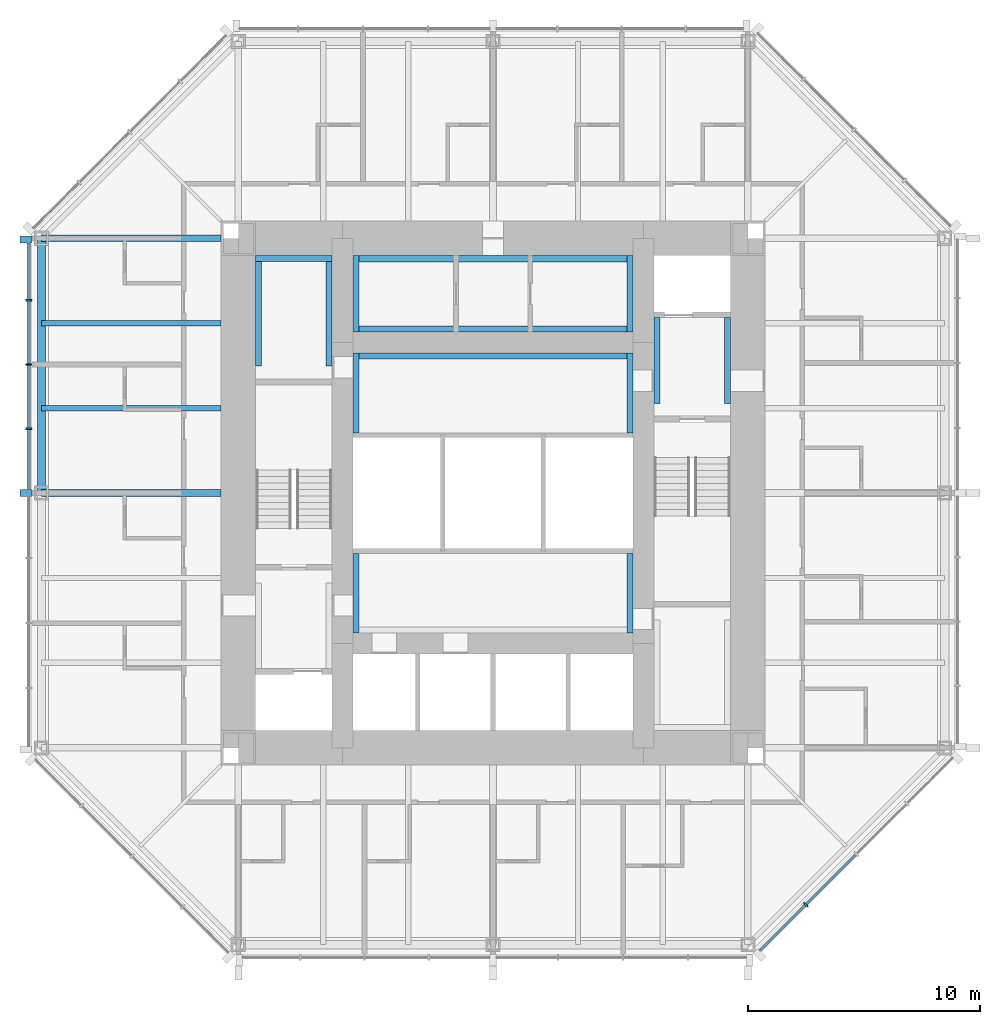
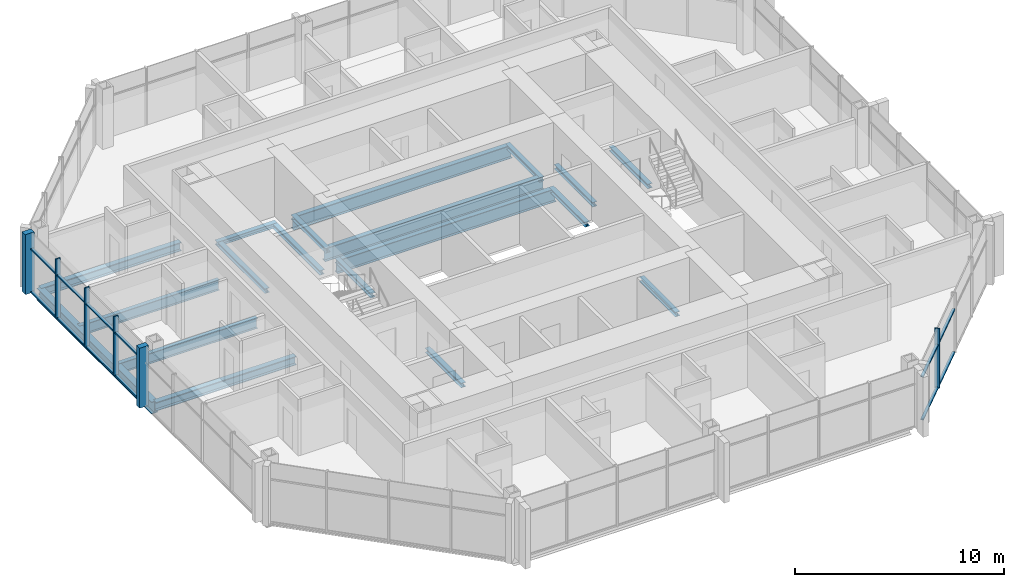
# One storey, part 3 of 12: 19 beams, 18 members, 2 elements without a shape of their own.
"""IFC4 building model written with IfcOpenShell, lengths in metres."""

from ifc_helpers import new_model, si_unit, direction, frame, origin, origin_2d, place, context, subcontext, project, spatial, rectangle, i_section, extrude, material, material_profile, profile_set, type_object, element, aggregate, save


model = new_model("IFC4")

# Units and contexts
model_context = context("Model", 3, precision=1e-05, world=origin(), true_north=direction((0.0, 1.0)))
body_context = subcontext(model_context, "Body", "Model", "MODEL_VIEW")
ifc_project = project(units=[si_unit("LENGTHUNIT", "METRE"), si_unit("AREAUNIT", "SQUARE_METRE"), si_unit("VOLUMEUNIT", "CUBIC_METRE"), si_unit("PLANEANGLEUNIT", "RADIAN"), si_unit("MASSUNIT", "GRAM", prefix="KILO")], contexts=[model_context])

# Site, building, storey
site_placement = place(None, origin())
site = spatial("IfcSite", under=ifc_project, at=site_placement, CompositionType="ELEMENT")
building_placement = place(site_placement, origin())
building = spatial("IfcBuilding", under=site, at=building_placement, Name="Trevanion Tower", CompositionType="ELEMENT")
storey_placement = place(building_placement, frame((0.0, 0.0, 197.699951171875)))
storey = spatial("IfcBuildingStorey", under=building, at=storey_placement, Name="L46", CompositionType="ELEMENT", Elevation=197.699951171875)

# Beams
ifc_material_1 = material(Name="Steel ASTM A992 Grade 50", Category="steel")
ifc_material_profile_1 = material_profile(ifc_material_1, i_section(OverallWidth=0.228271484375, OverallDepth=0.607177734375, WebThickness=0.01123046875, FlangeThickness=0.017333984375, at=origin_2d()), Name="W24X76")
ifc_profile_set_1 = profile_set([ifc_material_profile_1], Name="Steel ASTM A992 Grade 50")
beam_type_1 = type_object("IfcBeamType", Name="B11 W24X76", PredefinedType="BEAM", material=ifc_profile_set_1)
for number, where, z_axis, x_axis, name in (
    (1, (-11.75, 7.333251953125, -0.493408203125), (-1.0, 0.0, 0.0), (0.0, -1.0, 0.0), "B11 L46"),
    (2, (-11.75, 3.666748046875, -0.493408203125), (-1.0, 0.0, 0.0), (0.0, -1.0, 0.0), "B11 L46"),
):
    element("IfcBeam", number, at=place(storey_placement, frame(where, z_axis=z_axis, x_axis=x_axis)), inside=storey, type_object=beam_type_1, Name=name, PredefinedType="BEAM", context=body_context, shape_type="SweptSolid", body=[
        extrude(i_section(OverallWidth=0.228271484375, OverallDepth=0.607177734375, WebThickness=0.01123046875, FlangeThickness=0.017333984375, at=origin_2d()), origin(), (0.0, 0.0, 1.0), 7.75),
    ])

# Curtain wall, members
ifc_material_2 = material(Name="Aluminium and glass", Category="aluminium")
curtain_wall_type = type_object("IfcCurtainWallType", Name="CW3 curtain wall", PredefinedType="USERDEFINED", material=ifc_material_2)
curtain_wall_1_placement = place(storey_placement, origin())
curtain_wall_1 = element("IfcCurtainWall", 3, at=curtain_wall_1_placement, inside=storey, type_object=curtain_wall_type, Name="CW3 L46 4", ObjectType="UNITISED CURTAIN WALL", PredefinedType="USERDEFINED")
ifc_material_3 = material(Name="Aluminium extrusion, anodised bronze", Category="aluminium")
ifc_material_profile_2 = material_profile(ifc_material_3, rectangle(XDim=0.074951171875, YDim=0.25, at=origin_2d()), Name="CW3 mullion")
ifc_profile_set_2 = profile_set([ifc_material_profile_2], Name="Aluminium extrusion, anodised bronze")
member_type_1 = type_object("IfcMemberType", Name="CW3 mullion", PredefinedType="MULLION", material=ifc_profile_set_2)
member_1_placement = place(storey_placement, frame((-20.050048828125, 8.323486328125, -0.18994140625), z_axis=(0.0, 0.0, 1.0), x_axis=(0.0, -1.0, 0.0)))
member_1 = element("IfcMember", 4, at=member_1_placement, type_object=member_type_1, Name="CW3 mullion 2", PredefinedType="MULLION", context=body_context, shape_type="SweptSolid", body=[
    extrude(rectangle(XDim=0.074951171875, YDim=0.25, at=origin_2d()), origin(), (0.0, 0.0, 1.0), 3.5),
])
member_2_placement = place(storey_placement, frame((-20.050048828125, 5.548828125, -0.18994140625), z_axis=(0.0, 0.0, 1.0), x_axis=(0.0, -1.0, 0.0)))
member_2 = element("IfcMember", 5, at=member_2_placement, type_object=member_type_1, Name="CW3 mullion 3", PredefinedType="MULLION", context=body_context, shape_type="SweptSolid", body=[
    extrude(rectangle(XDim=0.074951171875, YDim=0.25, at=origin_2d()), origin(), (0.0, 0.0, 1.0), 3.5),
])
member_3_placement = place(storey_placement, frame((-20.050048828125, 2.7744140625, -0.18994140625), z_axis=(0.0, 0.0, 1.0), x_axis=(0.0, -1.0, 0.0)))
member_3 = element("IfcMember", 6, at=member_3_placement, type_object=member_type_1, Name="CW3 mullion 4", PredefinedType="MULLION", context=body_context, shape_type="SweptSolid", body=[
    extrude(rectangle(XDim=0.074951171875, YDim=0.25, at=origin_2d()), origin(), (0.0, 0.0, 1.0), 3.5),
])

# Curtain wall, member
curtain_wall_2_placement = place(storey_placement, origin())
curtain_wall_2 = element("IfcCurtainWall", 7, at=curtain_wall_2_placement, inside=storey, type_object=curtain_wall_type, Name="CW3 L46 7", ObjectType="UNITISED CURTAIN WALL", PredefinedType="USERDEFINED")
member_4_placement = place(storey_placement, frame((13.502197265625, -17.775390625, -0.18994140625), z_axis=(0.0, 0.0, 1.0), x_axis=(0.707106781187, 0.707106781187, 0.0)))
member_4 = element("IfcMember", 8, at=member_4_placement, type_object=member_type_1, Name="CW3 mullion 2", PredefinedType="MULLION", context=body_context, shape_type="SweptSolid", body=[
    extrude(rectangle(XDim=0.074951171875, YDim=0.25, at=origin_2d()), origin(), (0.0, 0.0, 1.0), 3.5),
])

# Member
ifc_material_4 = material(Name="Aluminium extrusion, anodised bronze", Category="aluminium")
ifc_material_profile_3 = material_profile(ifc_material_4, rectangle(XDim=0.300048828125, YDim=0.5, at=origin_2d()), Name="CW3 pier mullion")
ifc_profile_set_3 = profile_set([ifc_material_profile_3], Name="Aluminium extrusion, anodised bronze")
member_type_2 = type_object("IfcMemberType", Name="CW3 pier mullion", PredefinedType="MULLION", material=ifc_profile_set_3)
member_5_placement = place(storey_placement, frame((-20.175048828125, 10.94775390625, -0.18994140625), z_axis=(0.0, 0.0, 1.0), x_axis=(0.0, -1.0, 0.0)))
member_5 = element("IfcMember", 9, at=member_5_placement, type_object=member_type_2, Name="CW3 pier mullion 1", PredefinedType="MULLION", context=body_context, shape_type="SweptSolid", body=[
    extrude(rectangle(XDim=0.300048828125, YDim=0.5, at=origin_2d()), origin(), (0.0, 0.0, 1.0), 3.5),
])

member_6_placement = place(storey_placement, frame((-20.175048828125, 0.0, -0.18994140625), z_axis=(0.0, 0.0, 1.0), x_axis=(0.0, -1.0, 0.0)))
member_6 = element("IfcMember", 10, at=member_6_placement, type_object=member_type_2, Name="CW3 pier mullion 5", PredefinedType="MULLION", context=body_context, shape_type="SweptSolid", body=[
    extrude(rectangle(XDim=0.300048828125, YDim=0.5, at=origin_2d()), origin(), (0.0, 0.0, 1.0), 3.5),
])

ifc_material_5 = material(Name="Aluminium extrusion, anodised bronze", Category="aluminium")
ifc_material_profile_4 = material_profile(ifc_material_5, rectangle(XDim=0.14990234375, YDim=0.074951171875, at=origin_2d()), Name="CW3 transom")
ifc_profile_set_4 = profile_set([ifc_material_profile_4], Name="Aluminium extrusion, anodised bronze")
member_type_3 = type_object("IfcMemberType", Name="CW3 transom", PredefinedType="USERDEFINED", material=ifc_profile_set_4)
member_7_placement = place(storey_placement, frame((-20.050048828125, 10.7978515625, -0.15234375), z_axis=(0.0, -1.0, 0.0), x_axis=(1.0, 0.0, 0.0)))
member_7 = element("IfcMember", 11, at=member_7_placement, type_object=member_type_3, Name="CW3 transom 1.1", ObjectType="TRANSOM", PredefinedType="USERDEFINED", context=body_context, shape_type="SweptSolid", body=[
    extrude(rectangle(XDim=0.14990234375, YDim=0.074951171875, at=origin_2d()), origin(), (0.0, 0.0, 1.0), 2.43701171875),
])

member_8_placement = place(storey_placement, frame((-20.050048828125, 10.7978515625, 2.360107421875), z_axis=(0.0, -1.0, 0.0), x_axis=(1.0, 0.0, 0.0)))
member_8 = element("IfcMember", 12, at=member_8_placement, type_object=member_type_3, Name="CW3 transom 1.2", ObjectType="TRANSOM", PredefinedType="USERDEFINED", context=body_context, shape_type="SweptSolid", body=[
    extrude(rectangle(XDim=0.14990234375, YDim=0.074951171875, at=origin_2d()), origin(), (0.0, 0.0, 1.0), 2.43701171875),
])

member_9_placement = place(storey_placement, frame((-20.050048828125, 8.285888671875, -0.15234375), z_axis=(0.0, -1.0, 0.0), x_axis=(1.0, 0.0, 0.0)))
member_9 = element("IfcMember", 13, at=member_9_placement, type_object=member_type_3, Name="CW3 transom 2.1", ObjectType="TRANSOM", PredefinedType="USERDEFINED", context=body_context, shape_type="SweptSolid", body=[
    extrude(rectangle(XDim=0.14990234375, YDim=0.074951171875, at=origin_2d()), origin(), (0.0, 0.0, 1.0), 2.699462890625),
])

member_10_placement = place(storey_placement, frame((-20.050048828125, 8.285888671875, 2.360107421875), z_axis=(0.0, -1.0, 0.0), x_axis=(1.0, 0.0, 0.0)))
member_10 = element("IfcMember", 14, at=member_10_placement, type_object=member_type_3, Name="CW3 transom 2.2", ObjectType="TRANSOM", PredefinedType="USERDEFINED", context=body_context, shape_type="SweptSolid", body=[
    extrude(rectangle(XDim=0.14990234375, YDim=0.074951171875, at=origin_2d()), origin(), (0.0, 0.0, 1.0), 2.699462890625),
])

member_11_placement = place(storey_placement, frame((-20.050048828125, 5.511474609375, -0.15234375), z_axis=(0.0, -1.0, 0.0), x_axis=(1.0, 0.0, 0.0)))
member_11 = element("IfcMember", 15, at=member_11_placement, type_object=member_type_3, Name="CW3 transom 3.1", ObjectType="TRANSOM", PredefinedType="USERDEFINED", context=body_context, shape_type="SweptSolid", body=[
    extrude(rectangle(XDim=0.14990234375, YDim=0.074951171875, at=origin_2d()), origin(), (0.0, 0.0, 1.0), 2.699462890625),
])

member_12_placement = place(storey_placement, frame((-20.050048828125, 5.511474609375, 2.360107421875), z_axis=(0.0, -1.0, 0.0), x_axis=(1.0, 0.0, 0.0)))
member_12 = element("IfcMember", 16, at=member_12_placement, type_object=member_type_3, Name="CW3 transom 3.2", ObjectType="TRANSOM", PredefinedType="USERDEFINED", context=body_context, shape_type="SweptSolid", body=[
    extrude(rectangle(XDim=0.14990234375, YDim=0.074951171875, at=origin_2d()), origin(), (0.0, 0.0, 1.0), 2.699462890625),
])

member_13_placement = place(storey_placement, frame((-20.050048828125, 2.737060546875, -0.15234375), z_axis=(0.0, -1.0, 0.0), x_axis=(1.0, 0.0, 0.0)))
member_13 = element("IfcMember", 17, at=member_13_placement, type_object=member_type_3, Name="CW3 transom 4.1", ObjectType="TRANSOM", PredefinedType="USERDEFINED", context=body_context, shape_type="SweptSolid", body=[
    extrude(rectangle(XDim=0.14990234375, YDim=0.074951171875, at=origin_2d()), origin(), (0.0, 0.0, 1.0), 2.587158203125),
])

member_14_placement = place(storey_placement, frame((-20.050048828125, 2.737060546875, 2.360107421875), z_axis=(0.0, -1.0, 0.0), x_axis=(1.0, 0.0, 0.0)))
member_14 = element("IfcMember", 18, at=member_14_placement, type_object=member_type_3, Name="CW3 transom 4.2", ObjectType="TRANSOM", PredefinedType="USERDEFINED", context=body_context, shape_type="SweptSolid", body=[
    extrude(rectangle(XDim=0.14990234375, YDim=0.074951171875, at=origin_2d()), origin(), (0.0, 0.0, 1.0), 2.587158203125),
])

aggregate(curtain_wall_1, [member_5, member_1, member_2, member_3, member_6, member_7, member_8, member_9, member_10, member_11, member_12, member_13, member_14])

member_15_placement = place(storey_placement, frame((11.531982421875, -19.745849609375, -0.15234375), z_axis=(0.707106781187, 0.707106781187, 0.0), x_axis=(-0.707106781187, 0.707106781187, 0.0)))
member_15 = element("IfcMember", 19, at=member_15_placement, type_object=member_type_3, Name="CW3 transom 1.1", ObjectType="TRANSOM", PredefinedType="USERDEFINED", context=body_context, shape_type="SweptSolid", body=[
    extrude(rectangle(XDim=0.14990234375, YDim=0.074951171875, at=origin_2d()), origin(), (0.0, 0.0, 1.0), 2.7490234375),
])

member_16_placement = place(storey_placement, frame((11.531982421875, -19.745849609375, 2.360107421875), z_axis=(0.707106781187, 0.707106781187, 0.0), x_axis=(-0.707106781187, 0.707106781187, 0.0)))
member_16 = element("IfcMember", 20, at=member_16_placement, type_object=member_type_3, Name="CW3 transom 1.2", ObjectType="TRANSOM", PredefinedType="USERDEFINED", context=body_context, shape_type="SweptSolid", body=[
    extrude(rectangle(XDim=0.14990234375, YDim=0.074951171875, at=origin_2d()), origin(), (0.0, 0.0, 1.0), 2.7490234375),
])

member_17_placement = place(storey_placement, frame((13.52880859375, -17.7490234375, -0.15234375), z_axis=(0.707106781187, 0.707106781187, 0.0), x_axis=(-0.707106781187, 0.707106781187, 0.0)))
member_17 = element("IfcMember", 21, at=member_17_placement, type_object=member_type_3, Name="CW3 transom 2.1", ObjectType="TRANSOM", PredefinedType="USERDEFINED", context=body_context, shape_type="SweptSolid", body=[
    extrude(rectangle(XDim=0.14990234375, YDim=0.074951171875, at=origin_2d()), origin(), (0.0, 0.0, 1.0), 3.01171875),
])

member_18_placement = place(storey_placement, frame((13.52880859375, -17.7490234375, 2.360107421875), z_axis=(0.707106781187, 0.707106781187, 0.0), x_axis=(-0.707106781187, 0.707106781187, 0.0)))
member_18 = element("IfcMember", 22, at=member_18_placement, type_object=member_type_3, Name="CW3 transom 2.2", ObjectType="TRANSOM", PredefinedType="USERDEFINED", context=body_context, shape_type="SweptSolid", body=[
    extrude(rectangle(XDim=0.14990234375, YDim=0.074951171875, at=origin_2d()), origin(), (0.0, 0.0, 1.0), 3.01171875),
])

aggregate(curtain_wall_2, [member_4, member_15, member_16, member_17, member_18])

# Beams
ifc_material_6 = material(Name="Steel ASTM A992 Grade 50", Category="steel")
ifc_material_profile_5 = material_profile(ifc_material_6, i_section(OverallWidth=0.28955078125, OverallDepth=0.508056640625, WebThickness=0.022705078125, FlangeThickness=0.040283203125, at=origin_2d()), Name="W18X175")
ifc_profile_set_5 = profile_set([ifc_material_profile_5], Name="Steel ASTM A992 Grade 50")
beam_type_2 = type_object("IfcBeamType", Name="G6 W18X175", PredefinedType="BEAM", material=ifc_profile_set_5)
for number, where, z_axis, x_axis, name in (
    (23, (-11.75, 11.0, -0.44384765625), (-1.0, 0.0, 0.0), (0.0, -1.0, 0.0), "G6 L46"),
    (24, (-11.75, 0.0, -0.44384765625), (-1.0, 0.0, 0.0), (0.0, -1.0, 0.0), "G6 L46"),
):
    element("IfcBeam", number, at=place(storey_placement, frame(where, z_axis=z_axis, x_axis=x_axis)), inside=storey, type_object=beam_type_2, Name=name, PredefinedType="BEAM", context=body_context, shape_type="SweptSolid", body=[
        extrude(i_section(OverallWidth=0.28955078125, OverallDepth=0.508056640625, WebThickness=0.022705078125, FlangeThickness=0.040283203125, at=origin_2d()), origin(), (0.0, 0.0, 1.0), 7.75),
    ])
ifc_material_7 = material(Name="Steel ASTM A992 Grade 50", Category="steel")
ifc_material_profile_6 = material_profile(ifc_material_7, i_section(OverallWidth=0.256591796875, OverallDepth=0.26416015625, WebThickness=0.011962890625, FlangeThickness=0.01953125, at=origin_2d()), Name="W10X68")
ifc_profile_set_6 = profile_set([ifc_material_profile_6], Name="Steel ASTM A992 Grade 50")
beam_type_3 = type_object("IfcBeamType", Name="LB1 W10X68", PredefinedType="BEAM", material=ifc_profile_set_6)
for number, where, z_axis, x_axis, name in (
    (25, (-5.921630859375, 2.60009765625, -0.33203125), (0.0, 1.0, 0.0), (-1.0, 0.0, 0.0), "LB1 L46"),
    (26, (5.921630859375, 2.60009765625, -0.33203125), (0.0, 1.0, 0.0), (-1.0, 0.0, 0.0), "LB1 L46"),
    (27, (-5.921630859375, -6.050048828125, -0.33203125), (0.0, 1.0, 0.0), (-1.0, 0.0, 0.0), "LB1 L46"),
    (28, (5.921630859375, -6.050048828125, -0.33203125), (0.0, 1.0, 0.0), (-1.0, 0.0, 0.0), "LB1 L46"),
):
    element("IfcBeam", number, at=place(storey_placement, frame(where, z_axis=z_axis, x_axis=x_axis)), inside=storey, type_object=beam_type_3, Name=name, PredefinedType="BEAM", context=body_context, shape_type="SweptSolid", body=[
        extrude(i_section(OverallWidth=0.256591796875, OverallDepth=0.26416015625, WebThickness=0.011962890625, FlangeThickness=0.01953125, at=origin_2d()), origin(), (0.0, 0.0, 1.0), 3.449951171875),
    ])
for number, where, z_axis, x_axis, name in (
    (29, (7.078369140625, 3.875, -0.33203125), (0.0, 1.0, 0.0), (-1.0, 0.0, 0.0), "LB1 L46"),
    (30, (10.12158203125, 3.875, -0.33203125), (0.0, 1.0, 0.0), (-1.0, 0.0, 0.0), "LB1 L46"),
):
    element("IfcBeam", number, at=place(storey_placement, frame(where, z_axis=z_axis, x_axis=x_axis)), inside=storey, type_object=beam_type_3, Name=name, PredefinedType="BEAM", context=body_context, shape_type="SweptSolid", body=[
        extrude(i_section(OverallWidth=0.256591796875, OverallDepth=0.26416015625, WebThickness=0.011962890625, FlangeThickness=0.01953125, at=origin_2d()), origin(), (0.0, 0.0, 1.0), 3.699951171875),
    ])
for number, where, z_axis, x_axis, name in (
    (31, (-10.12158203125, 5.47509765625, -0.33203125), (0.0, 1.0, 0.0), (-1.0, 0.0, 0.0), "LB1 L46"),
    (32, (-7.078369140625, 5.47509765625, -0.33203125), (0.0, 1.0, 0.0), (-1.0, 0.0, 0.0), "LB1 L46"),
):
    element("IfcBeam", number, at=place(storey_placement, frame(where, z_axis=z_axis, x_axis=x_axis)), inside=storey, type_object=beam_type_3, Name=name, PredefinedType="BEAM", context=body_context, shape_type="SweptSolid", body=[
        extrude(i_section(OverallWidth=0.256591796875, OverallDepth=0.26416015625, WebThickness=0.011962890625, FlangeThickness=0.01953125, at=origin_2d()), origin(), (0.0, 0.0, 1.0), 4.77490234375),
    ])
for number, where, z_axis, x_axis, name in (
    (33, (-10.25, 10.12158203125, -0.33203125), (1.0, 0.0, 0.0), (0.0, 1.0, 0.0), "LB1 L46"),
    (34, (-5.921630859375, 6.949951171875, -0.33203125), (0.0, 1.0, 0.0), (-1.0, 0.0, 0.0), "LB1 L46"),
    (35, (5.921630859375, 6.949951171875, -0.33203125), (0.0, 1.0, 0.0), (-1.0, 0.0, 0.0), "LB1 L46"),
):
    element("IfcBeam", number, at=place(storey_placement, frame(where, z_axis=z_axis, x_axis=x_axis)), inside=storey, type_object=beam_type_3, Name=name, PredefinedType="BEAM", context=body_context, shape_type="SweptSolid", body=[
        extrude(i_section(OverallWidth=0.256591796875, OverallDepth=0.26416015625, WebThickness=0.011962890625, FlangeThickness=0.01953125, at=origin_2d()), origin(), (0.0, 0.0, 1.0), 3.300048828125),
    ])
ifc_material_8 = material(Name="Steel ASTM A992 Grade 50", Category="steel")
ifc_material_profile_7 = material_profile(ifc_material_8, i_section(OverallWidth=0.2666015625, OverallDepth=0.76953125, WebThickness=0.015625, FlangeThickness=0.025390625, at=origin_2d()), Name="W30X132")
ifc_profile_set_7 = profile_set([ifc_material_profile_7], Name="Steel ASTM A992 Grade 50")
beam_type_4 = type_object("IfcBeamType", Name="LB3 W30X132", PredefinedType="BEAM", material=ifc_profile_set_7)
for number, where, z_axis, x_axis, name in (
    (36, (-6.050048828125, 5.91650390625, -0.584716796875), (1.0, 0.0, 0.0), (0.0, 1.0, 0.0), "LB3 L46"),
    (37, (-6.050048828125, 7.08349609375, -0.584716796875), (1.0, 0.0, 0.0), (0.0, 1.0, 0.0), "LB3 L46"),
    (38, (-6.050048828125, 10.11669921875, -0.584716796875), (1.0, 0.0, 0.0), (0.0, 1.0, 0.0), "LB3 L46"),
):
    element("IfcBeam", number, at=place(storey_placement, frame(where, z_axis=z_axis, x_axis=x_axis)), inside=storey, type_object=beam_type_4, Name=name, PredefinedType="BEAM", context=body_context, shape_type="SweptSolid", body=[
        extrude(i_section(OverallWidth=0.2666015625, OverallDepth=0.76953125, WebThickness=0.015625, FlangeThickness=0.025390625, at=origin_2d()), origin(), (0.0, 0.0, 1.0), 12.10009765625),
    ])
ifc_material_9 = material(Name="Steel ASTM A992 Grade 50", Category="steel")
ifc_material_profile_8 = material_profile(ifc_material_9, i_section(OverallWidth=0.355712890625, OverallDepth=0.696044921875, WebThickness=0.015380859375, FlangeThickness=0.024658203125, at=origin_2d()), Name="W27X146")
ifc_profile_set_8 = profile_set([ifc_material_profile_8], Name="Steel ASTM A992 Grade 50")
beam_type_5 = type_object("IfcBeamType", Name="SB8 W27X146", PredefinedType="SPANDREL", material=ifc_profile_set_8)
beam_placement = place(storey_placement, frame((-19.5, 11.0, -0.537841796875), z_axis=(0.0, -1.0, 0.0), x_axis=(1.0, 0.0, 0.0)))
element("IfcBeam", 39, at=beam_placement, inside=storey, type_object=beam_type_5, Name="SB8 L46", PredefinedType="SPANDREL", context=body_context, shape_type="SweptSolid", body=[
    extrude(i_section(OverallWidth=0.355712890625, OverallDepth=0.696044921875, WebThickness=0.015380859375, FlangeThickness=0.024658203125, at=origin_2d()), origin(), (0.0, 0.0, 1.0), 11.0),
])

save(model, "model.ifc")
